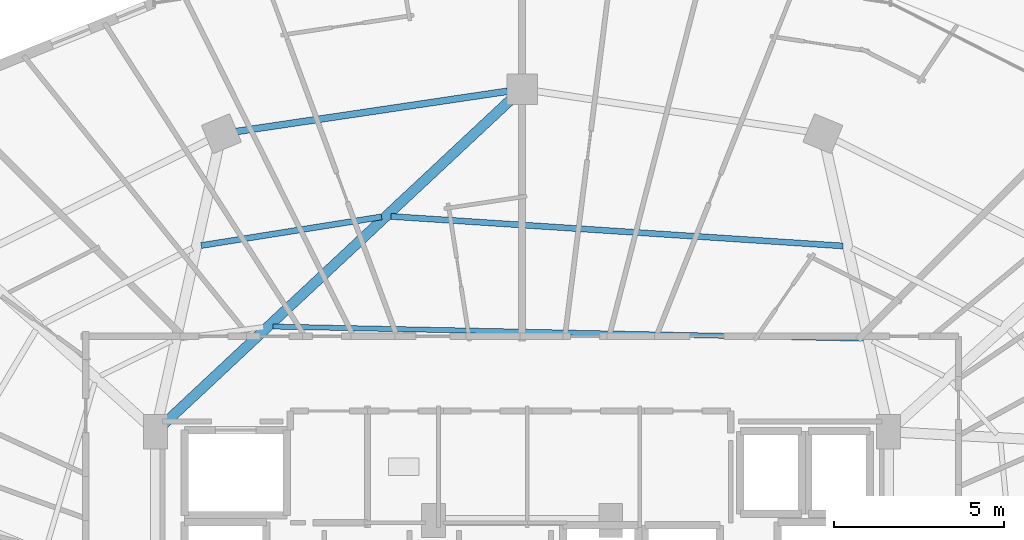
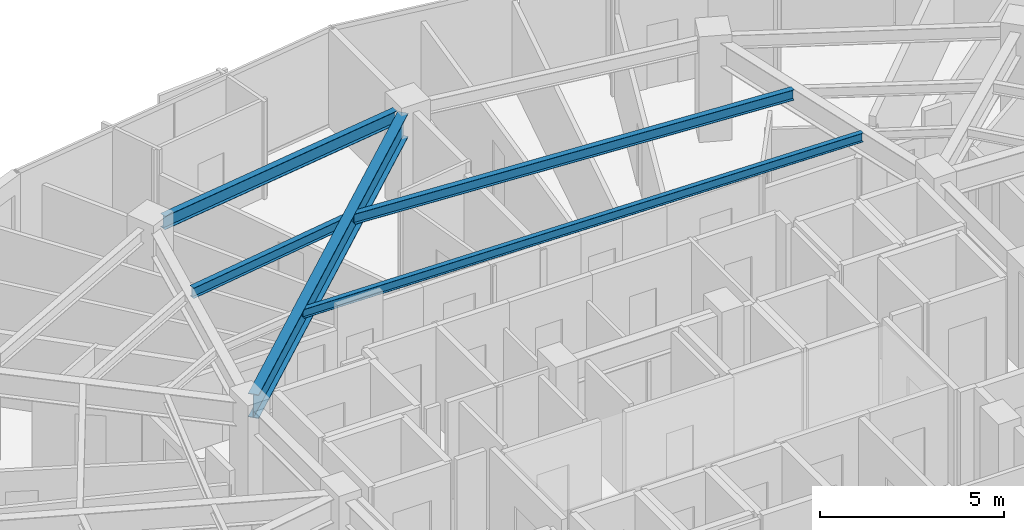
# One storey, part 18 of 34: 5 beams.
"""IFC4 building model written with IfcOpenShell, lengths in metres."""

import ifcopenshell
import ifcopenshell.guid

model = None  # the IFC model being written
_history = None  # IfcOwnerHistory: only IFC2X3 demands one
_inside = {}  # id of a spatial element -> (the spatial element, [elements in it])
_under = {}  # id of a project, library or spatial element -> (it, [spatial elements below it])
_declared = {}  # id of a project -> (the project, [libraries it declares])
_typed = {}  # id of a type object -> (the type object, [elements of that type])
_made_of = {}  # id of a material, layer set ... -> (it, [elements and type objects made of it])


def new_model(schema):
    """Start an empty IFC model of exactly this schema.

    Asked for "IFC4X3", IfcOpenShell would pick the latest addendum, in which some entities
    have other attributes; the version numbers below select the first issue.
    IFC2X3 requires an IfcOwnerHistory on every rooted entity: one is made here for all.
    """
    global model, _history
    if schema == "IFC4X3":
        model = ifcopenshell.file(schema_version=(4, 3, 0, 0))
    else:
        model = ifcopenshell.file(schema=schema)
    _inside.clear()
    _under.clear()
    _declared.clear()
    _typed.clear()
    _made_of.clear()
    _history = None
    if model.schema == "IFC2X3":
        org = make("IfcOrganization", Name="unknown")
        user = make(
            "IfcPersonAndOrganization",
            ThePerson=make("IfcPerson", FamilyName="unknown"),
            TheOrganization=org,
        )
        app = make(
            "IfcApplication",
            ApplicationDeveloper=org,
            Version="unknown",
            ApplicationFullName="unknown",
            ApplicationIdentifier="unknown",
        )
        _history = make(
            "IfcOwnerHistory",
            OwningUser=user,
            OwningApplication=app,
            ChangeAction="ADDED",
            CreationDate=0,
        )
    return model


def make(cls, **values):
    """One entity of the class cls with the attributes given. An attribute that is None is left unset."""
    return model.create_entity(
        cls, **{name: value for name, value in values.items() if value is not None}
    )


def rooted(cls, **values):
    """An entity with a GlobalId (a new one), such as an element, a storey or a relation."""
    return make(cls, GlobalId=ifcopenshell.guid.new(), OwnerHistory=_history, **values)


def si_unit(unit_type, name, prefix=None):
    """IfcSIUnit, for example si_unit("LENGTHUNIT", "METRE", prefix="MILLI")."""
    return make("IfcSIUnit", UnitType=unit_type, Prefix=prefix, Name=name)


def assignment(units):
    """IfcUnitAssignment: the units of a project."""
    return None if units is None else make("IfcUnitAssignment", Units=units)


def point(xyz):
    """IfcCartesianPoint."""
    return None if xyz is None else make("IfcCartesianPoint", Coordinates=xyz)


def direction(xyz):
    """IfcDirection."""
    return None if xyz is None else make("IfcDirection", DirectionRatios=xyz)


def frame(location, z_axis=None, x_axis=None):
    """IfcAxis2Placement3D, a coordinate frame: its origin and axes. An axis left out is left unset."""
    return make(
        "IfcAxis2Placement3D",
        Location=point(location),
        Axis=direction(z_axis),
        RefDirection=direction(x_axis),
    )


def frame_2d(location, x_axis=None):
    """IfcAxis2Placement2D, a coordinate frame in the plane: its origin and x axis."""
    return make(
        "IfcAxis2Placement2D", Location=point(location), RefDirection=direction(x_axis)
    )


def origin():
    """The frame at (0, 0, 0) with its axes left unset."""
    return frame((0.0, 0.0, 0.0))


def origin_2d():
    """The frame at (0, 0) in the plane with its x axis left unset."""
    return frame_2d((0.0, 0.0))


def place(relative_to, where):
    """IfcLocalPlacement: puts the frame where relative to a parent placement (None: the world)."""
    return make(
        "IfcLocalPlacement", PlacementRelTo=relative_to, RelativePlacement=where
    )


def context(
    kind, dimensions, precision=None, world=None, true_north=None, identifier=None
):
    """IfcGeometricRepresentationContext, for example the 3D "Model" context."""
    return make(
        "IfcGeometricRepresentationContext",
        ContextIdentifier=identifier,
        ContextType=kind,
        CoordinateSpaceDimension=dimensions,
        Precision=precision,
        WorldCoordinateSystem=world,
        TrueNorth=true_north,
    )


def subcontext(parent, identifier, kind, view, scale=None):
    """IfcGeometricRepresentationSubContext, for example "Body" below "Model"."""
    return make(
        "IfcGeometricRepresentationSubContext",
        ContextIdentifier=identifier,
        ContextType=kind,
        ParentContext=parent,
        TargetScale=scale,
        TargetView=view,
    )


def project(units=None, contexts=None):
    """IfcProject with its units and contexts."""
    return rooted(
        "IfcProject",
        Name="project",
        RepresentationContexts=contexts,
        UnitsInContext=assignment(units),
    )


def spatial(cls, under=None, at=None, **own):
    """A site, building, storey or space (cls), placed at a placement, below another one or the project."""
    s = rooted(cls, ObjectPlacement=at, **own)
    if under is not None:
        _under.setdefault(under.id(), (under, []))[1].append(s)
    return s


def profile(cls, at=None, kind="AREA", **sizes):
    """A parametric profile (cls). Its sizes go by their IFC names, for example OverallWidth=200.0."""
    return make(cls, ProfileType=kind, Position=at, **sizes)


def i_section(**sizes):
    """IfcIShapeProfileDef."""
    return profile("IfcIShapeProfileDef", **sizes)


def extrude(swept, where, along, depth):
    """IfcExtrudedAreaSolid: the profile swept, set in the frame where, extruded along a direction by depth."""
    return make(
        "IfcExtrudedAreaSolid",
        SweptArea=swept,
        Position=where,
        ExtrudedDirection=direction(along),
        Depth=depth,
    )


def shape(context_of_items, identifier, shape_type, items):
    """IfcShapeRepresentation: the items that make up one representation, for example the "Body"."""
    return make(
        "IfcShapeRepresentation",
        ContextOfItems=context_of_items,
        RepresentationIdentifier=identifier,
        RepresentationType=shape_type,
        Items=items,
    )


def material(Name=None, Category=None):
    """IfcMaterial."""
    return make("IfcMaterial", Name=Name, Category=Category)


def material_profile(
    of_material, cross_section, Name=None, Category=None, Priority=None
):
    """IfcMaterialProfile: a cross section and its material."""
    return make(
        "IfcMaterialProfile",
        Name=Name,
        Material=of_material,
        Profile=cross_section,
        Priority=Priority,
        Category=Category,
    )


def profile_set(profiles, Name=None, composite=None):
    """IfcMaterialProfileSet."""
    return make(
        "IfcMaterialProfileSet",
        Name=Name,
        MaterialProfiles=profiles,
        CompositeProfile=composite,
    )


def made_of(thing, what):
    """Note that an element or type object is made of a material, layer set ...; save() writes the relation."""
    if what is not None:
        _made_of.setdefault(what.id(), (what, []))[1].append(thing)
    return thing


def type_object(cls, material=None, **own):
    """A type object (cls), such as IfcWallType, which elements share."""
    return made_of(rooted(cls, **own), material)


def element(
    cls,
    number,
    at=None,
    inside=None,
    cuts=None,
    type_object=None,
    material=None,
    context=None,
    identifier="Body",
    shape_type=None,
    held_by="IfcProductDefinitionShape",
    body=None,
    shapes=None,
    **own,
):
    """One element of the class cls, such as IfcWall. Its Tag is "e" and its number.

    at: its placement. inside: the storey or other place that contains it. cuts: it is an
    opening in that element (IfcRelVoidsElement). A single representation is given by context,
    identifier, shape_type and body (its items); several are given by shapes. held_by: the class
    of the entity that holds the representations. save() writes the other relations.
    """
    e = rooted(cls, Tag="e%d" % number, ObjectPlacement=at, **own)
    if body is not None:
        shapes = [shape(context, identifier, shape_type, body)]
    if shapes is not None:
        e.Representation = make(held_by, Representations=shapes)
    if inside is not None:
        _inside.setdefault(inside.id(), (inside, []))[1].append(e)
    if cuts is not None:
        rooted(
            "IfcRelVoidsElement", RelatingBuildingElement=cuts, RelatedOpeningElement=e
        )
    if type_object is not None:
        _typed.setdefault(type_object.id(), (type_object, []))[1].append(e)
    return made_of(e, material)


def aggregate(whole, parts):
    """IfcRelAggregates: a whole, such as a stair, and the parts it consists of."""
    return rooted("IfcRelAggregates", RelatingObject=whole, RelatedObjects=parts)


def save(model, path):
    """Write the relations noted so far, then the file.

    IfcRelAggregates (storeys below a building ...), IfcRelContainedInSpatialStructure (elements
    in a storey), IfcRelDefinesByType, IfcRelAssociatesMaterial and IfcRelDeclares: one each for
    every whole, place, type object, material and project.
    """
    for whole, parts in _under.values():
        aggregate(whole, parts)
    for where, things in _inside.values():
        rooted(
            "IfcRelContainedInSpatialStructure",
            RelatedElements=things,
            RelatingStructure=where,
        )
    for kind, things in _typed.values():
        rooted("IfcRelDefinesByType", RelatedObjects=things, RelatingType=kind)
    for what, things in _made_of.values():
        rooted("IfcRelAssociatesMaterial", RelatedObjects=things, RelatingMaterial=what)
    for by, libraries in _declared.values():
        rooted("IfcRelDeclares", RelatingContext=by, RelatedDefinitions=libraries)
    model.write(path)


model = new_model("IFC4")

# Units and contexts
model_context = context("Model", 3, precision=1e-05, world=origin(), true_north=direction((0.0, 1.0)))
body_context = subcontext(model_context, "Body", "Model", "MODEL_VIEW")
ifc_project = project(units=[si_unit("LENGTHUNIT", "METRE"), si_unit("AREAUNIT", "SQUARE_METRE"), si_unit("VOLUMEUNIT", "CUBIC_METRE"), si_unit("PLANEANGLEUNIT", "RADIAN"), si_unit("MASSUNIT", "GRAM", prefix="KILO")], contexts=[model_context])

# Site, building, storey
site_placement = place(None, origin())
site = spatial("IfcSite", under=ifc_project, at=site_placement, CompositionType="ELEMENT")
building_placement = place(site_placement, origin())
building = spatial("IfcBuilding", under=site, at=building_placement, Name="Vorneva Point Tower", CompositionType="ELEMENT")
storey_placement = place(building_placement, frame((0.0, 0.0, 186.10009765625)))
storey = spatial("IfcBuildingStorey", under=building, at=storey_placement, Name="L50", CompositionType="ELEMENT", Elevation=186.10009765625)

# Beams
ifc_material = material(Name="Steel S355", Category="steel")
ifc_material_profile_1 = material_profile(ifc_material, i_section(OverallWidth=0.300048828125, OverallDepth=0.7880859375, WebThickness=0.014404296875, FlangeThickness=0.02197265625, at=origin_2d()), Name="80Sh1")
ifc_profile_set_1 = profile_set([ifc_material_profile_1], Name="Steel S355")
beam_type_1 = type_object("IfcBeamType", Name="BM-GRD-80Sh1", PredefinedType="USERDEFINED", material=ifc_profile_set_1)
beam_1_placement = place(storey_placement, frame((37.679931640625, 42.90087890625, 2.845947265625), z_axis=(-0.730484767146, -0.682928989696, 0.0), x_axis=(0.682928989696, -0.730484767146, 0.0)))
element("IfcBeam", 1, at=beam_1_placement, inside=storey, type_object=beam_type_1, Name="L50 Radial Primary Girder 05", ObjectType="GIRDER", PredefinedType="USERDEFINED", context=body_context, shape_type="SweptSolid", body=[
    extrude(i_section(OverallWidth=0.300048828125, OverallDepth=0.7880859375, WebThickness=0.014404296875, FlangeThickness=0.02197265625, at=origin_2d()), origin(), (0.0, 0.0, 1.0), 13.938232421875),
])
ifc_material_profile_2 = material_profile(ifc_material, i_section(OverallWidth=0.14892578125, OverallDepth=0.298095703125, WebThickness=0.005615234375, FlangeThickness=0.008056640625, at=origin_2d()), Name="30B1")
ifc_profile_set_2 = profile_set([ifc_material_profile_2], Name="Steel S355")
beam_type_2 = type_object("IfcBeamType", Name="BM-JST-30B1", PredefinedType="JOIST", material=ifc_profile_set_2)
beam_2_placement = place(storey_placement, frame((48.01025390625, 35.879150390625, 3.0908203125), z_axis=(-0.999788862622, 0.020548240227, 0.0), x_axis=(-0.020548240227, -0.999788862622, 0.0)))
element("IfcBeam", 2, at=beam_2_placement, inside=storey, type_object=beam_type_2, Name="L50 Secondary Floor Beam 2.04", PredefinedType="JOIST", context=body_context, shape_type="SweptSolid", body=[
    extrude(i_section(OverallWidth=0.14892578125, OverallDepth=0.298095703125, WebThickness=0.005615234375, FlangeThickness=0.008056640625, at=origin_2d()), origin(), (0.0, 0.0, 1.0), 17.322998046875),
])
ifc_material_profile_3 = material_profile(ifc_material, i_section(OverallWidth=0.174072265625, OverallDepth=0.345947265625, WebThickness=0.006103515625, FlangeThickness=0.009033203125, at=origin_2d()), Name="35B1")
ifc_profile_set_3 = profile_set([ifc_material_profile_3], Name="Steel S355")
beam_type_3 = type_object("IfcBeamType", Name="BM-SEC-35B1", PredefinedType="BEAM", material=ifc_profile_set_3)
beam_3_placement = place(storey_placement, frame((47.41162109375, 38.598876953125, 3.06689453125), z_axis=(-0.997872888723, 0.065189707405, 0.0), x_axis=(-0.065189707405, -0.997872888723, 0.0)))
element("IfcBeam", 3, at=beam_3_placement, inside=storey, type_object=beam_type_3, Name="L50 Secondary Floor Beam 1.04", PredefinedType="BEAM", context=body_context, shape_type="SweptSolid", body=[
    extrude(i_section(OverallWidth=0.174072265625, OverallDepth=0.345947265625, WebThickness=0.006103515625, FlangeThickness=0.009033203125, at=origin_2d()), origin(), (0.0, 0.0, 1.0), 13.28759765625),
])
beam_4_placement = place(storey_placement, frame((33.87841796875, 39.452392578125, 3.06689453125), z_axis=(-0.987609534462, -0.156931218819, 0.0), x_axis=(0.156931218819, -0.987609534462, 0.0)))
element("IfcBeam", 4, at=beam_4_placement, inside=storey, type_object=beam_type_3, Name="L50 Secondary Floor Beam 1.05", PredefinedType="BEAM", context=body_context, shape_type="SweptSolid", body=[
    extrude(i_section(OverallWidth=0.174072265625, OverallDepth=0.345947265625, WebThickness=0.006103515625, FlangeThickness=0.009033203125, at=origin_2d()), origin(), (0.0, 0.0, 1.0), 5.35791015625),
])
ifc_material_profile_4 = material_profile(ifc_material, i_section(OverallWidth=0.198974609375, OverallDepth=0.446044921875, WebThickness=0.008056640625, FlangeThickness=0.011962890625, at=origin_2d()), Name="45B1")
ifc_profile_set_4 = profile_set([ifc_material_profile_4], Name="Steel S355")
beam_type_4 = type_object("IfcBeamType", Name="BM-SPN-45B1", PredefinedType="SPANDREL", material=ifc_profile_set_4)
beam_5_placement = place(storey_placement, frame((37.569580078125, 43.135986328125, 3.016845703125), z_axis=(-0.989165476332, -0.146804837907, 0.0), x_axis=(0.146804837907, -0.989165476332, 0.0)))
element("IfcBeam", 5, at=beam_5_placement, inside=storey, type_object=beam_type_4, Name="L50 Perimeter Spandrel Ring Beam 05", PredefinedType="SPANDREL", context=body_context, shape_type="SweptSolid", body=[
    extrude(i_section(OverallWidth=0.198974609375, OverallDepth=0.446044921875, WebThickness=0.008056640625, FlangeThickness=0.011962890625, at=origin_2d()), origin(), (0.0, 0.0, 1.0), 8.04736328125),
])

save(model, "model.ifc")
